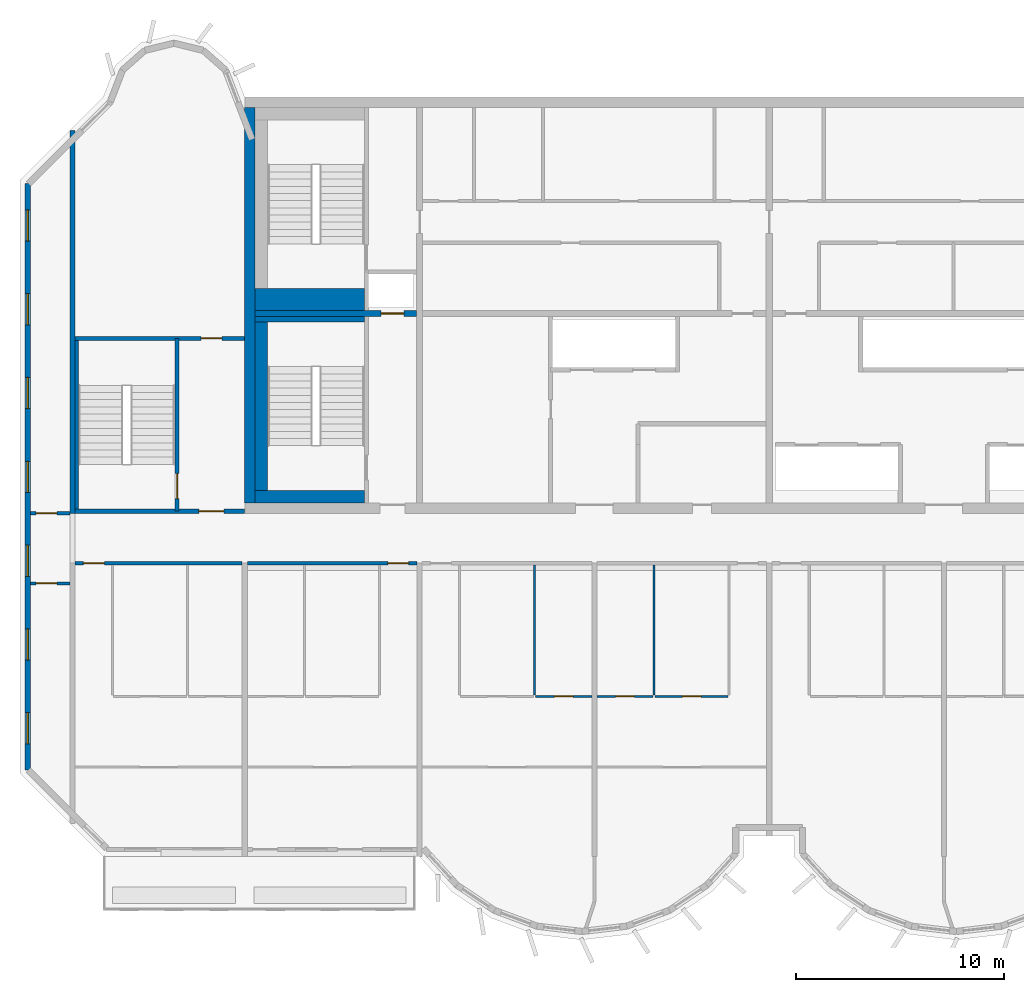
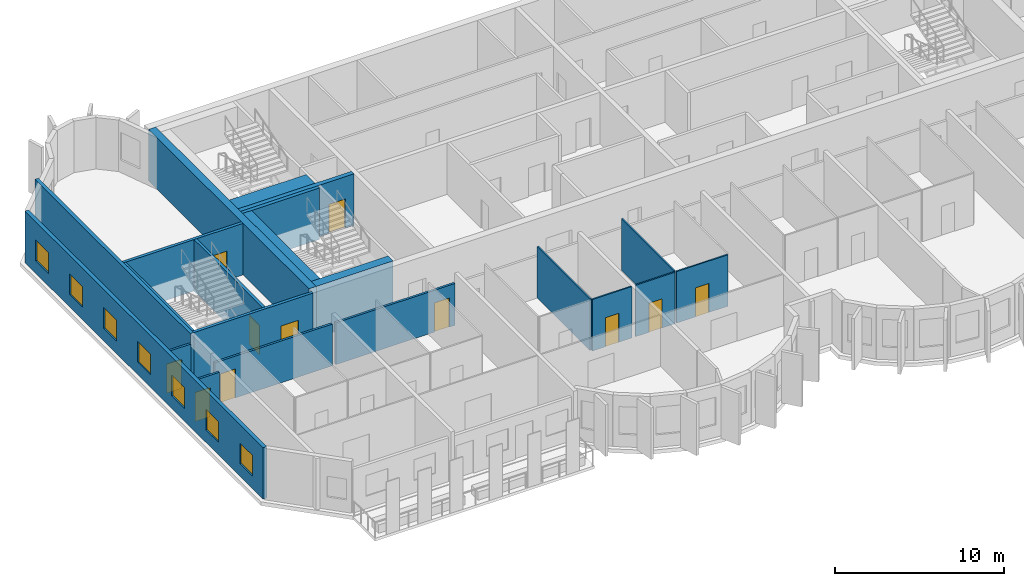
# One storey, part 3 of 12: 21 walls, 11 doors, 7 windows, 18 openings.
"""IFC4 building model written with IfcOpenShell, lengths in metres."""

from ifc_helpers import new_model, si_unit, direction, frame, frame_2d, origin, place, context, subcontext, project, spatial, rectangle, extrude, source, transform, mapped, material, layer, layer_set, type_object, element, fill, save


model = new_model("IFC4")

# Units and contexts
model_context = context("Model", 3, precision=1e-05, world=origin(), true_north=direction((0.0, 1.0)))
body_context = subcontext(model_context, "Body", "Model", "MODEL_VIEW")
ifc_project = project(units=[si_unit("LENGTHUNIT", "METRE"), si_unit("AREAUNIT", "SQUARE_METRE"), si_unit("VOLUMEUNIT", "CUBIC_METRE"), si_unit("PLANEANGLEUNIT", "RADIAN"), si_unit("MASSUNIT", "GRAM", prefix="KILO")], contexts=[model_context])

# Site, building, storey
site_placement = place(None, origin())
site = spatial("IfcSite", under=ifc_project, at=site_placement, CompositionType="ELEMENT")
building_placement = place(site_placement, origin())
building = spatial("IfcBuilding", under=site, at=building_placement, Name="Vanashikhar Sky Hotel", CompositionType="ELEMENT")
storey_placement = place(building_placement, frame((0.0, 0.0, 281.699951171875)))
storey = spatial("IfcBuildingStorey", under=building, at=storey_placement, Name="L67", CompositionType="ELEMENT", Elevation=281.699951171875)

# Wall
ifc_material_1 = material(Name="Concrete M50", Category="concrete")
ifc_layer_1 = layer(ifc_material_1, 0.5)
ifc_layer_set_1 = layer_set([ifc_layer_1], Name="RC core shell wall 500 Concrete M50")
wall_type_1 = type_object("IfcWallType", Name="RC core shell wall 500 Concrete M50", PredefinedType="SHEAR", material=ifc_layer_set_1)
shared_shape_1 = source(origin(), body_context, "Body", "SweptSolid", [
    extrude(rectangle(XDim=19.0, YDim=0.5, at=frame_2d((9.5, 0.0))), origin(), (0.0, 0.0, 1.0), 3.719970703125),
])
wall_1_placement = place(storey_placement, frame((25.449951171875, 22.5, 0.0), z_axis=(0.0, 0.0, 1.0), x_axis=(0.0, 1.0, 0.0)))
element("IfcWall", 1, at=wall_1_placement, inside=storey, type_object=wall_type_1, Name="KW-L67-KW", PredefinedType="SHEAR", context=body_context, shape_type="MappedRepresentation", body=[
    mapped(shared_shape_1, transform((0.0, 0.0, 0.0), scale=1.0)),
])

# Wall, opening, door
ifc_layer_2 = layer(ifc_material_1, 0.300048828125)
ifc_layer_set_2 = layer_set([ifc_layer_2], Name="RC core inner wall 300 Concrete M50")
wall_type_2 = type_object("IfcWallType", Name="RC core inner wall 300 Concrete M50", PredefinedType="SHEAR", material=ifc_layer_set_2)
shared_shape_2 = source(origin(), body_context, "Body", "SweptSolid", [
    extrude(rectangle(XDim=7.75, YDim=0.300048828125, at=frame_2d((3.875, 0.0))), origin(), (0.0, 0.0, 1.0), 3.719970703125),
])
wall_2_placement = place(storey_placement, frame((25.699951171875, 31.60009765625, 0.0), z_axis=(0.0, 0.0, 1.0), x_axis=(1.0, 0.0, 0.0)))
wall_2 = element("IfcWall", 2, at=wall_2_placement, inside=storey, type_object=wall_type_2, Name="KW-L67-KY1", PredefinedType="SHEAR", context=body_context, shape_type="MappedRepresentation", body=[
    mapped(shared_shape_2, transform((0.0, 0.0, 0.0), scale=1.0)),
])
shared_shape_3 = source(origin(), body_context, "Body", "SweptSolid", [
    extrude(rectangle(XDim=1.10009765625, YDim=2.10009765625, at=frame_2d((0.550048828125, 1.050048828125))), frame((0.0, 0.16015625, 0.0), z_axis=(0.0, -1.0, 0.0), x_axis=(1.0, 0.0, 0.0)), (0.0, 0.0, 1.0), 0.320068359375),
])
opening_1_placement = place(wall_2_placement, frame((6.050048828125, 0.0, 0.0)))
opening_1 = element("IfcOpeningElement", 3, at=opening_1_placement, cuts=wall_2, Name="Opening LD", PredefinedType="OPENING", context=body_context, shape_type="MappedRepresentation", body=[
    mapped(shared_shape_3, transform((0.0, 0.0, 0.0), scale=1.0)),
])
ifc_material_2 = material(Name="Stainless steel", Category="steel")
door_type_1 = type_object("IfcDoorType", Name="Lift landing door 1100", OperationType="NOTDEFINED", PredefinedType="DOOR", material=ifc_material_2)
shared_shape_4 = source(origin(), body_context, "Body", "SweptSolid", [
    extrude(rectangle(XDim=1.10009765625, YDim=2.10009765625, at=frame_2d((0.550048828125, 1.050048828125))), frame((0.0, 0.02490234375, 0.0), z_axis=(0.0, -1.0, 0.0), x_axis=(1.0, 0.0, 0.0)), (0.0, 0.0, 1.0), 0.050048828125),
])
door_1_placement = place(opening_1_placement, origin())
door_1 = element("IfcDoor", 4, at=door_1_placement, inside=storey, type_object=door_type_1, Name="Lift landing door 1100", OperationType="SLIDING_TO_RIGHT", OverallHeight=2.10009765625, OverallWidth=1.10009765625, PredefinedType="DOOR", context=body_context, shape_type="MappedRepresentation", body=[
    mapped(shared_shape_4, transform((0.0, 0.0, 0.0), scale=1.0)),
])
fill(opening_1, door_1)

# Wall
ifc_layer_3 = layer(ifc_material_1, 0.25)
ifc_layer_set_3 = layer_set([ifc_layer_3], Name="RC shear wall 250 Concrete M50")
wall_type_3 = type_object("IfcWallType", Name="RC shear wall 250 Concrete M50", PredefinedType="SHEAR", material=ifc_layer_set_3)
shared_shape_5 = source(origin(), body_context, "Body", "SweptSolid", [
    extrude(rectangle(XDim=18.39990234375, YDim=0.25, at=frame_2d((9.199951171875, 0.0))), origin(), (0.0, 0.0, 1.0), 3.719970703125),
])
wall_3_placement = place(storey_placement, frame((16.925048828125, 22.0, 0.0), z_axis=(0.0, 0.0, 1.0), x_axis=(0.0, 1.0, 0.0)))
element("IfcWall", 5, at=wall_3_placement, inside=storey, type_object=wall_type_3, Name="CW-L67-XW03-2", PredefinedType="SHEAR", context=body_context, shape_type="MappedRepresentation", body=[
    mapped(shared_shape_5, transform((0.0, 0.0, 0.0), scale=1.0)),
])

# Wall, openings, windows
ifc_layer_4 = layer(ifc_material_1, 0.25)
ifc_layer_set_4 = layer_set([ifc_layer_4], Name="Rear and end board-marked wall 250")
wall_type_4 = type_object("IfcWallType", Name="Rear and end board-marked wall 250", PredefinedType="SOLIDWALL", material=ifc_layer_set_4)
shared_shape_6 = source(origin(), body_context, "Body", "SweptSolid", [
    extrude(rectangle(XDim=28.189453125, YDim=0.25, at=frame_2d((14.0947265625, 0.0))), origin(), (0.0, 0.0, 1.0), 3.719970703125),
])
wall_4_placement = place(storey_placement, frame((14.77490234375, 37.8447265625, 0.0), z_axis=(0.0, 0.0, 1.0), x_axis=(0.0, -1.0, 0.0)))
wall_4 = element("IfcWall", 6, at=wall_4_placement, inside=storey, type_object=wall_type_4, Name="End board-marked wall", PredefinedType="SOLIDWALL", context=body_context, shape_type="MappedRepresentation", body=[
    mapped(shared_shape_6, transform((0.0, 0.0, 0.0), scale=1.0)),
])
shared_shape_7 = source(origin(), body_context, "Body", "SweptSolid", [
    extrude(rectangle(XDim=1.5, YDim=1.5, at=frame_2d((0.75, 0.75))), frame((0.0, 0.135009765625, 0.0), z_axis=(0.0, -1.0, 0.0), x_axis=(1.0, 0.0, 0.0)), (0.0, 0.0, 1.0), 0.27001953125),
])
opening_2_placement = place(wall_4_placement, frame((1.263427734375, 0.0, 0.89990234375)))
opening_2 = element("IfcOpeningElement", 7, at=opening_2_placement, cuts=wall_4, Name="Opening WN-1", PredefinedType="OPENING", context=body_context, shape_type="MappedRepresentation", body=[
    mapped(shared_shape_7, transform((0.0, 0.0, 0.0), scale=1.0)),
])
opening_3_placement = place(wall_4_placement, frame((5.29052734375, 0.0, 0.89990234375)))
opening_3 = element("IfcOpeningElement", 8, at=opening_3_placement, cuts=wall_4, Name="Opening WN-1", PredefinedType="OPENING", context=body_context, shape_type="MappedRepresentation", body=[
    mapped(shared_shape_7, transform((0.0, 0.0, 0.0), scale=1.0)),
])
opening_4_placement = place(wall_4_placement, frame((9.317626953125, 0.0, 0.89990234375)))
opening_4 = element("IfcOpeningElement", 9, at=opening_4_placement, cuts=wall_4, Name="Opening WN-1", PredefinedType="OPENING", context=body_context, shape_type="MappedRepresentation", body=[
    mapped(shared_shape_7, transform((0.0, 0.0, 0.0), scale=1.0)),
])
opening_5_placement = place(wall_4_placement, frame((13.3447265625, 0.0, 0.89990234375)))
opening_5 = element("IfcOpeningElement", 10, at=opening_5_placement, cuts=wall_4, Name="Opening WN-1", PredefinedType="OPENING", context=body_context, shape_type="MappedRepresentation", body=[
    mapped(shared_shape_7, transform((0.0, 0.0, 0.0), scale=1.0)),
])
opening_6_placement = place(wall_4_placement, frame((17.371826171875, 0.0, 0.89990234375)))
opening_6 = element("IfcOpeningElement", 11, at=opening_6_placement, cuts=wall_4, Name="Opening WN-1", PredefinedType="OPENING", context=body_context, shape_type="MappedRepresentation", body=[
    mapped(shared_shape_7, transform((0.0, 0.0, 0.0), scale=1.0)),
])
opening_7_placement = place(wall_4_placement, frame((21.398681640625, 0.0, 0.89990234375)))
opening_7 = element("IfcOpeningElement", 12, at=opening_7_placement, cuts=wall_4, Name="Opening WN-1", PredefinedType="OPENING", context=body_context, shape_type="MappedRepresentation", body=[
    mapped(shared_shape_7, transform((0.0, 0.0, 0.0), scale=1.0)),
])
opening_8_placement = place(wall_4_placement, frame((25.42578125, 0.0, 0.89990234375)))
opening_8 = element("IfcOpeningElement", 13, at=opening_8_placement, cuts=wall_4, Name="Opening WN-1", PredefinedType="OPENING", context=body_context, shape_type="MappedRepresentation", body=[
    mapped(shared_shape_7, transform((0.0, 0.0, 0.0), scale=1.0)),
])
ifc_material_3 = material(Name="Glass", Category="glass")
window_type = type_object("IfcWindowType", Name="Window 1500 x 1500", PartitioningType="SINGLE_PANEL", PredefinedType="WINDOW", material=ifc_material_3)
shared_shape_8 = source(origin(), body_context, "Body", "SweptSolid", [
    extrude(rectangle(XDim=1.5, YDim=1.5, at=frame_2d((0.75, 0.75))), frame((0.0, 0.030029296875, 0.0), z_axis=(0.0, -1.0, 0.0), x_axis=(1.0, 0.0, 0.0)), (0.0, 0.0, 1.0), 0.06005859375),
])
window_1_placement = place(opening_2_placement, origin())
window_1 = element("IfcWindow", 14, at=window_1_placement, inside=storey, type_object=window_type, Name="Window WN-1", OverallHeight=1.5, OverallWidth=1.5, PartitioningType="SINGLE_PANEL", PredefinedType="WINDOW", context=body_context, shape_type="MappedRepresentation", body=[
    mapped(shared_shape_8, transform((0.0, 0.0, 0.0), scale=1.0)),
])
fill(opening_2, window_1)
window_2_placement = place(opening_3_placement, origin())
window_2 = element("IfcWindow", 15, at=window_2_placement, inside=storey, type_object=window_type, Name="Window WN-1", OverallHeight=1.5, OverallWidth=1.5, PartitioningType="SINGLE_PANEL", PredefinedType="WINDOW", context=body_context, shape_type="MappedRepresentation", body=[
    mapped(shared_shape_8, transform((0.0, 0.0, 0.0), scale=1.0)),
])
fill(opening_3, window_2)
window_3_placement = place(opening_4_placement, origin())
window_3 = element("IfcWindow", 16, at=window_3_placement, inside=storey, type_object=window_type, Name="Window WN-1", OverallHeight=1.5, OverallWidth=1.5, PartitioningType="SINGLE_PANEL", PredefinedType="WINDOW", context=body_context, shape_type="MappedRepresentation", body=[
    mapped(shared_shape_8, transform((0.0, 0.0, 0.0), scale=1.0)),
])
fill(opening_4, window_3)
window_4_placement = place(opening_5_placement, origin())
window_4 = element("IfcWindow", 17, at=window_4_placement, inside=storey, type_object=window_type, Name="Window WN-1", OverallHeight=1.5, OverallWidth=1.5, PartitioningType="SINGLE_PANEL", PredefinedType="WINDOW", context=body_context, shape_type="MappedRepresentation", body=[
    mapped(shared_shape_8, transform((0.0, 0.0, 0.0), scale=1.0)),
])
fill(opening_5, window_4)
window_5_placement = place(opening_6_placement, origin())
window_5 = element("IfcWindow", 18, at=window_5_placement, inside=storey, type_object=window_type, Name="Window WN-1", OverallHeight=1.5, OverallWidth=1.5, PartitioningType="SINGLE_PANEL", PredefinedType="WINDOW", context=body_context, shape_type="MappedRepresentation", body=[
    mapped(shared_shape_8, transform((0.0, 0.0, 0.0), scale=1.0)),
])
fill(opening_6, window_5)
window_6_placement = place(opening_7_placement, origin())
window_6 = element("IfcWindow", 19, at=window_6_placement, inside=storey, type_object=window_type, Name="Window WN-1", OverallHeight=1.5, OverallWidth=1.5, PartitioningType="SINGLE_PANEL", PredefinedType="WINDOW", context=body_context, shape_type="MappedRepresentation", body=[
    mapped(shared_shape_8, transform((0.0, 0.0, 0.0), scale=1.0)),
])
fill(opening_7, window_6)
window_7_placement = place(opening_8_placement, origin())
window_7 = element("IfcWindow", 20, at=window_7_placement, inside=storey, type_object=window_type, Name="Window WN-1", OverallHeight=1.5, OverallWidth=1.5, PartitioningType="SINGLE_PANEL", PredefinedType="WINDOW", context=body_context, shape_type="MappedRepresentation", body=[
    mapped(shared_shape_8, transform((0.0, 0.0, 0.0), scale=1.0)),
])
fill(opening_8, window_7)

# Wall, opening, door
ifc_layer_5 = layer(ifc_material_1, 0.199951171875)
ifc_layer_set_5 = layer_set([ifc_layer_5], Name="Stair wall 200")
wall_type_5 = type_object("IfcWallType", Name="Stair wall 200", PredefinedType="SOLIDWALL", material=ifc_layer_set_5)
shared_shape_9 = source(origin(), body_context, "Body", "SweptSolid", [
    extrude(rectangle(XDim=8.2998046875, YDim=0.199951171875, at=frame_2d((4.14990234375, 0.0))), origin(), (0.0, 0.0, 1.0), 3.719970703125),
])
wall_5_placement = place(storey_placement, frame((21.949951171875, 22.10009765625, 0.0), z_axis=(0.0, 0.0, 1.0), x_axis=(0.0, 1.0, 0.0)))
wall_5 = element("IfcWall", 21, at=wall_5_placement, inside=storey, type_object=wall_type_5, Name="Stair wall 200", PredefinedType="SOLIDWALL", context=body_context, shape_type="MappedRepresentation", body=[
    mapped(shared_shape_9, transform((0.0, 0.0, 0.0), scale=1.0)),
])
shared_shape_10 = source(origin(), body_context, "Body", "SweptSolid", [
    extrude(rectangle(XDim=1.199951171875, YDim=2.10009765625, at=frame_2d((0.60009765625, 1.050048828125))), frame((0.0, 0.10986328125, 0.0), z_axis=(0.0, -1.0, 0.0), x_axis=(1.0, 0.0, 0.0)), (0.0, 0.0, 1.0), 0.219970703125),
])
opening_9_placement = place(wall_5_placement, frame((0.60009765625, 0.0, 0.0)))
opening_9 = element("IfcOpeningElement", 22, at=opening_9_placement, cuts=wall_5, Name="Opening DC-1", PredefinedType="OPENING", context=body_context, shape_type="MappedRepresentation", body=[
    mapped(shared_shape_10, transform((0.0, 0.0, 0.0), scale=1.0)),
])
ifc_material_4 = material(Name="Steel", Category="steel")
door_type_2 = type_object("IfcDoorType", Name="Stair door 1200 FD120", OperationType="NOTDEFINED", PredefinedType="DOOR", material=ifc_material_4)
shared_shape_11 = source(origin(), body_context, "Body", "SweptSolid", [
    extrude(rectangle(XDim=1.199951171875, YDim=2.10009765625, at=frame_2d((0.60009765625, 1.050048828125))), frame((0.0, 0.02490234375, 0.0), z_axis=(0.0, -1.0, 0.0), x_axis=(1.0, 0.0, 0.0)), (0.0, 0.0, 1.0), 0.050048828125),
])
door_2_placement = place(opening_9_placement, origin())
door_2 = element("IfcDoor", 23, at=door_2_placement, inside=storey, type_object=door_type_2, Name="Stair door 1200 FD120", OperationType="SINGLE_SWING_RIGHT", OverallHeight=2.10009765625, OverallWidth=1.199951171875, PredefinedType="DOOR", context=body_context, shape_type="MappedRepresentation", body=[
    mapped(shared_shape_11, transform((0.0, 0.0, 0.0), scale=1.0)),
])
fill(opening_9, door_2)

shared_shape_12 = source(origin(), body_context, "Body", "SweptSolid", [
    extrude(rectangle(XDim=8.14990234375, YDim=0.199951171875, at=frame_2d((4.074951171875, 0.0))), origin(), (0.0, 0.0, 1.0), 3.719970703125),
])
wall_6_placement = place(storey_placement, frame((17.050048828125, 22.10009765625, 0.0), z_axis=(0.0, 0.0, 1.0), x_axis=(1.0, 0.0, 0.0)))
wall_6 = element("IfcWall", 24, at=wall_6_placement, inside=storey, type_object=wall_type_5, Name="Stair wall 200", PredefinedType="SOLIDWALL", context=body_context, shape_type="MappedRepresentation", body=[
    mapped(shared_shape_12, transform((0.0, 0.0, 0.0), scale=1.0)),
])
opening_10_placement = place(wall_6_placement, frame((5.949951171875, 0.0, 0.0)))
opening_10 = element("IfcOpeningElement", 25, at=opening_10_placement, cuts=wall_6, Name="Opening DC-2", PredefinedType="OPENING", context=body_context, shape_type="MappedRepresentation", body=[
    mapped(shared_shape_10, transform((0.0, 0.0, 0.0), scale=1.0)),
])
door_type_3 = type_object("IfcDoorType", Name="Firefighting lobby door 1200 FD120", OperationType="NOTDEFINED", PredefinedType="DOOR", material=ifc_material_4)
door_3_placement = place(opening_10_placement, origin())
door_3 = element("IfcDoor", 26, at=door_3_placement, inside=storey, type_object=door_type_3, Name="Firefighting lobby door 1200 FD120", OperationType="SINGLE_SWING_LEFT", OverallHeight=2.10009765625, OverallWidth=1.199951171875, PredefinedType="DOOR", context=body_context, shape_type="MappedRepresentation", body=[
    mapped(shared_shape_11, transform((0.0, 0.0, 0.0), scale=1.0)),
])
fill(opening_10, door_3)

wall_7_placement = place(storey_placement, frame((17.050048828125, 30.39990234375, 0.0), z_axis=(0.0, 0.0, 1.0), x_axis=(1.0, 0.0, 0.0)))
wall_7 = element("IfcWall", 27, at=wall_7_placement, inside=storey, type_object=wall_type_5, Name="Stair wall 200", PredefinedType="SOLIDWALL", context=body_context, shape_type="MappedRepresentation", body=[
    mapped(shared_shape_12, transform((0.0, 0.0, 0.0), scale=1.0)),
])
shared_shape_13 = source(origin(), body_context, "Body", "SweptSolid", [
    extrude(rectangle(XDim=1.0, YDim=2.10009765625, at=frame_2d((0.5, 1.050048828125))), frame((0.0, 0.10986328125, 0.0), z_axis=(0.0, -1.0, 0.0), x_axis=(1.0, 0.0, 0.0)), (0.0, 0.0, 1.0), 0.219970703125),
])
opening_11_placement = place(wall_7_placement, frame((6.050048828125, 0.0, 0.0)))
opening_11 = element("IfcOpeningElement", 28, at=opening_11_placement, cuts=wall_7, Name="Opening DC-6", PredefinedType="OPENING", context=body_context, shape_type="MappedRepresentation", body=[
    mapped(shared_shape_13, transform((0.0, 0.0, 0.0), scale=1.0)),
])
door_type_4 = type_object("IfcDoorType", Name="Pocket door 1000 FD60", OperationType="NOTDEFINED", PredefinedType="DOOR", material=ifc_material_4)
shared_shape_14 = source(origin(), body_context, "Body", "SweptSolid", [
    extrude(rectangle(XDim=1.0, YDim=2.10009765625, at=frame_2d((0.5, 1.050048828125))), frame((0.0, 0.02490234375, 0.0), z_axis=(0.0, -1.0, 0.0), x_axis=(1.0, 0.0, 0.0)), (0.0, 0.0, 1.0), 0.050048828125),
])
door_4_placement = place(opening_11_placement, origin())
door_4 = element("IfcDoor", 29, at=door_4_placement, inside=storey, type_object=door_type_4, Name="Pocket door 1000 FD60", OperationType="SINGLE_SWING_LEFT", OverallHeight=2.10009765625, OverallWidth=1.0, PredefinedType="DOOR", context=body_context, shape_type="MappedRepresentation", body=[
    mapped(shared_shape_14, transform((0.0, 0.0, 0.0), scale=1.0)),
])
fill(opening_11, door_4)

# Walls
ifc_layer_6 = layer(ifc_material_1, 0.60009765625)
ifc_layer_set_6 = layer_set([ifc_layer_6], Name="Stair infill wall 600")
wall_type_6 = type_object("IfcWallType", Name="Stair infill wall 600", PredefinedType="SOLIDWALL", material=ifc_layer_set_6)
shared_shape_15 = source(origin(), body_context, "Body", "SweptSolid", [
    extrude(rectangle(XDim=5.25, YDim=0.60009765625, at=frame_2d((2.625, 0.0))), origin(), (0.0, 0.0, 1.0), 3.719970703125),
])
wall_8_placement = place(storey_placement, frame((25.699951171875, 22.800048828125, 0.0), z_axis=(0.0, 0.0, 1.0), x_axis=(1.0, 0.0, 0.0)))
element("IfcWall", 30, at=wall_8_placement, inside=storey, type_object=wall_type_6, Name="Stair infill wall 600", PredefinedType="SOLIDWALL", context=body_context, shape_type="MappedRepresentation", body=[
    mapped(shared_shape_15, transform((0.0, 0.0, 0.0), scale=1.0)),
])
ifc_layer_7 = layer(ifc_material_1, 0.25)
ifc_layer_set_7 = layer_set([ifc_layer_7], Name="Stair infill wall 250")
wall_type_7 = type_object("IfcWallType", Name="Stair infill wall 250", PredefinedType="SOLIDWALL", material=ifc_layer_set_7)
shared_shape_16 = source(origin(), body_context, "Body", "SweptSolid", [
    extrude(rectangle(XDim=5.25, YDim=0.25, at=frame_2d((2.625, 0.0))), origin(), (0.0, 0.0, 1.0), 3.719970703125),
])
wall_9_placement = place(storey_placement, frame((25.699951171875, 31.324951171875, 0.0), z_axis=(0.0, 0.0, 1.0), x_axis=(1.0, 0.0, 0.0)))
element("IfcWall", 31, at=wall_9_placement, inside=storey, type_object=wall_type_7, Name="Stair infill wall 250", PredefinedType="SOLIDWALL", context=body_context, shape_type="MappedRepresentation", body=[
    mapped(shared_shape_16, transform((0.0, 0.0, 0.0), scale=1.0)),
])
shared_shape_17 = source(origin(), body_context, "Body", "SweptSolid", [
    extrude(rectangle(XDim=8.099853515625, YDim=0.60009765625, at=frame_2d((4.0498046875, 0.0))), origin(), (0.0, 0.0, 1.0), 3.719970703125),
])
wall_10_placement = place(storey_placement, frame((26.0, 23.10009765625, 0.0), z_axis=(0.0, 0.0, 1.0), x_axis=(0.0, 1.0, 0.0)))
element("IfcWall", 32, at=wall_10_placement, inside=storey, type_object=wall_type_6, Name="Stair infill wall 600", PredefinedType="SOLIDWALL", context=body_context, shape_type="MappedRepresentation", body=[
    mapped(shared_shape_17, transform((0.0, 0.0, 0.0), scale=1.0)),
])
ifc_layer_8 = layer(ifc_material_1, 0.14990234375)
ifc_layer_set_8 = layer_set([ifc_layer_8], Name="Stair infill wall 150")
wall_type_8 = type_object("IfcWallType", Name="Stair infill wall 150", PredefinedType="SOLIDWALL", material=ifc_layer_set_8)
shared_shape_18 = source(origin(), body_context, "Body", "SweptSolid", [
    extrude(rectangle(XDim=8.10009765625, YDim=0.14990234375, at=frame_2d((4.050048828125, 0.0))), origin(), (0.0, 0.0, 1.0), 3.719970703125),
])
wall_11_placement = place(storey_placement, frame((17.125, 22.199951171875, 0.0), z_axis=(0.0, 0.0, 1.0), x_axis=(0.0, 1.0, 0.0)))
element("IfcWall", 33, at=wall_11_placement, inside=storey, type_object=wall_type_8, Name="Stair infill wall 150", PredefinedType="SOLIDWALL", context=body_context, shape_type="MappedRepresentation", body=[
    mapped(shared_shape_18, transform((0.0, 0.0, 0.0), scale=1.0)),
])
ifc_layer_9 = layer(ifc_material_1, 1.050048828125)
ifc_layer_set_9 = layer_set([ifc_layer_9], Name="Stair infill wall 1050")
wall_type_9 = type_object("IfcWallType", Name="Stair infill wall 1050", PredefinedType="SOLIDWALL", material=ifc_layer_set_9)
shared_shape_19 = source(origin(), body_context, "Body", "SweptSolid", [
    extrude(rectangle(XDim=5.25, YDim=1.050048828125, at=frame_2d((2.625, 0.0))), origin(), (0.0, 0.0, 1.0), 3.719970703125),
])
wall_12_placement = place(storey_placement, frame((25.699951171875, 32.27490234375, 0.0), z_axis=(0.0, 0.0, 1.0), x_axis=(1.0, 0.0, 0.0)))
element("IfcWall", 34, at=wall_12_placement, inside=storey, type_object=wall_type_9, Name="Stair infill wall 1050", PredefinedType="SOLIDWALL", context=body_context, shape_type="MappedRepresentation", body=[
    mapped(shared_shape_19, transform((0.0, 0.0, 0.0), scale=1.0)),
])
ifc_material_5 = material(Name="Gypsum plasterboard partition")
ifc_layer_10 = layer(ifc_material_5, 0.10009765625)
ifc_layer_set_10 = layer_set([ifc_layer_10], Name="Wet room partition 100")
wall_type_10 = type_object("IfcWallType", Name="Wet room partition 100", PredefinedType="PARTITIONING", material=ifc_layer_set_10)
shared_shape_20 = source(origin(), body_context, "Body", "SweptSolid", [
    extrude(rectangle(XDim=6.25, YDim=0.10009765625, at=frame_2d((3.125, 0.0))), origin(), (0.0, 0.0, 1.0), 3.719970703125),
])
for number, where, z_axis, x_axis, name in (
    (35, (39.125, 13.27490234375, 0.0), (0.0, 0.0, 1.0), (0.0, 1.0, 0.0), "W-L67-PW014"),
    (36, (44.875, 13.27490234375, 0.0), (0.0, 0.0, 1.0), (0.0, 1.0, 0.0), "W-L67-PW020"),
):
    element("IfcWall", number, at=place(storey_placement, frame(where, z_axis=z_axis, x_axis=x_axis)), inside=storey, type_object=wall_type_10, Name=name, PredefinedType="PARTITIONING", context=body_context, shape_type="MappedRepresentation", body=[
        mapped(shared_shape_20, transform((0.0, 0.0, 0.0), scale=1.0)),
    ])

# Wall, opening, door
shared_shape_21 = source(origin(), body_context, "Body", "SweptSolid", [
    extrude(rectangle(XDim=3.5, YDim=0.10009765625, at=frame_2d((1.75, 0.0))), origin(), (0.0, 0.0, 1.0), 3.719970703125),
])
wall_13_placement = place(storey_placement, frame((44.925048828125, 13.199951171875, 0.0), z_axis=(0.0, 0.0, 1.0), x_axis=(1.0, 0.0, 0.0)))
wall_13 = element("IfcWall", 37, at=wall_13_placement, inside=storey, type_object=wall_type_10, Name="W-L67-PW021", PredefinedType="PARTITIONING", context=body_context, shape_type="MappedRepresentation", body=[
    mapped(shared_shape_21, transform((0.0, 0.0, 0.0), scale=1.0)),
])
shared_shape_22 = source(origin(), body_context, "Body", "SweptSolid", [
    extrude(rectangle(XDim=0.89990234375, YDim=2.10009765625, at=frame_2d((0.449951171875, 1.050048828125))), frame((0.0, 0.06005859375, 0.0), z_axis=(0.0, -1.0, 0.0), x_axis=(1.0, 0.0, 0.0)), (0.0, 0.0, 1.0), 0.1201171875),
])
opening_12_placement = place(wall_13_placement, frame((1.300048828125, 0.0, 0.0)))
opening_12 = element("IfcOpeningElement", 38, at=opening_12_placement, cuts=wall_13, Name="Opening D-02", PredefinedType="OPENING", context=body_context, shape_type="MappedRepresentation", body=[
    mapped(shared_shape_22, transform((0.0, 0.0, 0.0), scale=1.0)),
])
ifc_material_6 = material(Name="Timber door", Category="wood")
door_type_5 = type_object("IfcDoorType", Name="Internal door 900", OperationType="NOTDEFINED", PredefinedType="DOOR", material=ifc_material_6)
shared_shape_23 = source(origin(), body_context, "Body", "SweptSolid", [
    extrude(rectangle(XDim=0.89990234375, YDim=2.10009765625, at=frame_2d((0.449951171875, 1.050048828125))), frame((0.0, 0.02490234375, 0.0), z_axis=(0.0, -1.0, 0.0), x_axis=(1.0, 0.0, 0.0)), (0.0, 0.0, 1.0), 0.050048828125),
])
door_5_placement = place(opening_12_placement, origin())
door_5 = element("IfcDoor", 39, at=door_5_placement, inside=storey, type_object=door_type_5, Name="D-L67-013", OperationType="SINGLE_SWING_RIGHT", OverallHeight=2.10009765625, OverallWidth=0.89990234375, PredefinedType="DOOR", context=body_context, shape_type="MappedRepresentation", body=[
    mapped(shared_shape_23, transform((0.0, 0.0, 0.0), scale=1.0)),
])
fill(opening_12, door_5)

ifc_layer_11 = layer(ifc_material_5, 0.14990234375)
ifc_layer_set_11 = layer_set([ifc_layer_11], Name="Corridor and demising partition 150")
wall_type_11 = type_object("IfcWallType", Name="Corridor and demising partition 150", PredefinedType="PARTITIONING", material=ifc_layer_set_11)
shared_shape_24 = source(origin(), body_context, "Body", "SweptSolid", [
    extrude(rectangle(XDim=8.02490234375, YDim=0.14990234375, at=frame_2d((4.012451171875, 0.0))), origin(), (0.0, 0.0, 1.0), 3.02001953125),
])
wall_14_placement = place(storey_placement, frame((17.050048828125, 19.60009765625, 0.0), z_axis=(0.0, 0.0, 1.0), x_axis=(1.0, 0.0, 0.0)))
wall_14 = element("IfcWall", 40, at=wall_14_placement, inside=storey, type_object=wall_type_11, Name="W-L67-PW006", PredefinedType="PARTITIONING", context=body_context, shape_type="MappedRepresentation", body=[
    mapped(shared_shape_24, transform((0.0, 0.0, 0.0), scale=1.0)),
])
shared_shape_25 = source(origin(), body_context, "Body", "SweptSolid", [
    extrude(rectangle(XDim=1.0, YDim=2.10009765625, at=frame_2d((0.5, 1.050048828125))), frame((0.0, 0.0849609375, 0.0), z_axis=(0.0, -1.0, 0.0), x_axis=(1.0, 0.0, 0.0)), (0.0, 0.0, 1.0), 0.169921875),
])
opening_13_placement = place(wall_14_placement, frame((0.39990234375, 0.0, 0.0)))
opening_13 = element("IfcOpeningElement", 41, at=opening_13_placement, cuts=wall_14, Name="Opening D-01", PredefinedType="OPENING", context=body_context, shape_type="MappedRepresentation", body=[
    mapped(shared_shape_25, transform((0.0, 0.0, 0.0), scale=1.0)),
])
ifc_material_7 = material(Name="Timber fire door", Category="wood")
door_type_6 = type_object("IfcDoorType", Name="Guest entry door 1000 FD30S", OperationType="NOTDEFINED", PredefinedType="DOOR", material=ifc_material_7)
door_6_placement = place(opening_13_placement, origin())
door_6 = element("IfcDoor", 42, at=door_6_placement, inside=storey, type_object=door_type_6, Name="D-L67-004", OperationType="SINGLE_SWING_LEFT", OverallHeight=2.10009765625, OverallWidth=1.0, PredefinedType="DOOR", context=body_context, shape_type="MappedRepresentation", body=[
    mapped(shared_shape_14, transform((0.0, 0.0, 0.0), scale=1.0)),
])
fill(opening_13, door_6)

shared_shape_26 = source(origin(), body_context, "Body", "SweptSolid", [
    extrude(rectangle(XDim=2.699951171875, YDim=0.10009765625, at=frame_2d((1.35009765625, 0.0))), origin(), (0.0, 0.0, 1.0), 3.719970703125),
])
wall_15_placement = place(storey_placement, frame((39.175048828125, 13.199951171875, 0.0), z_axis=(0.0, 0.0, 1.0), x_axis=(1.0, 0.0, 0.0)))
wall_15 = element("IfcWall", 43, at=wall_15_placement, inside=storey, type_object=wall_type_10, Name="W-L67-PW016", PredefinedType="PARTITIONING", context=body_context, shape_type="MappedRepresentation", body=[
    mapped(shared_shape_26, transform((0.0, 0.0, 0.0), scale=1.0)),
])
opening_14_placement = place(wall_15_placement, frame((0.89990234375, 0.0, 0.0)))
opening_14 = element("IfcOpeningElement", 44, at=opening_14_placement, cuts=wall_15, Name="Opening D-02", PredefinedType="OPENING", context=body_context, shape_type="MappedRepresentation", body=[
    mapped(shared_shape_22, transform((0.0, 0.0, 0.0), scale=1.0)),
])
door_7_placement = place(opening_14_placement, origin())
door_7 = element("IfcDoor", 45, at=door_7_placement, inside=storey, type_object=door_type_5, Name="D-L67-010", OperationType="SINGLE_SWING_LEFT", OverallHeight=2.10009765625, OverallWidth=0.89990234375, PredefinedType="DOOR", context=body_context, shape_type="MappedRepresentation", body=[
    mapped(shared_shape_23, transform((0.0, 0.0, 0.0), scale=1.0)),
])
fill(opening_14, door_7)

wall_16_placement = place(storey_placement, frame((42.125, 13.199951171875, 0.0), z_axis=(0.0, 0.0, 1.0), x_axis=(1.0, 0.0, 0.0)))
wall_16 = element("IfcWall", 46, at=wall_16_placement, inside=storey, type_object=wall_type_10, Name="W-L67-PW022", PredefinedType="PARTITIONING", context=body_context, shape_type="MappedRepresentation", body=[
    mapped(shared_shape_26, transform((0.0, 0.0, 0.0), scale=1.0)),
])
opening_15_placement = place(wall_16_placement, frame((0.89990234375, 0.0, 0.0)))
opening_15 = element("IfcOpeningElement", 47, at=opening_15_placement, cuts=wall_16, Name="Opening D-02", PredefinedType="OPENING", context=body_context, shape_type="MappedRepresentation", body=[
    mapped(shared_shape_22, transform((0.0, 0.0, 0.0), scale=1.0)),
])
door_8_placement = place(opening_15_placement, origin())
door_8 = element("IfcDoor", 48, at=door_8_placement, inside=storey, type_object=door_type_5, Name="D-L67-014", OperationType="SINGLE_SWING_RIGHT", OverallHeight=2.10009765625, OverallWidth=0.89990234375, PredefinedType="DOOR", context=body_context, shape_type="MappedRepresentation", body=[
    mapped(shared_shape_23, transform((0.0, 0.0, 0.0), scale=1.0)),
])
fill(opening_15, door_8)

shared_shape_27 = source(origin(), body_context, "Body", "SweptSolid", [
    extrude(rectangle(XDim=8.150146484375, YDim=0.14990234375, at=frame_2d((4.0751953125, 0.0))), origin(), (0.0, 0.0, 1.0), 3.02001953125),
])
wall_17_placement = place(storey_placement, frame((25.324951171875, 19.60009765625, 0.0), z_axis=(0.0, 0.0, 1.0), x_axis=(1.0, 0.0, 0.0)))
wall_17 = element("IfcWall", 49, at=wall_17_placement, inside=storey, type_object=wall_type_11, Name="W-L67-PW012", PredefinedType="PARTITIONING", context=body_context, shape_type="MappedRepresentation", body=[
    mapped(shared_shape_27, transform((0.0, 0.0, 0.0), scale=1.0)),
])
opening_16_placement = place(wall_17_placement, frame((6.75, 0.0, 0.0)))
opening_16 = element("IfcOpeningElement", 50, at=opening_16_placement, cuts=wall_17, Name="Opening D-01", PredefinedType="OPENING", context=body_context, shape_type="MappedRepresentation", body=[
    mapped(shared_shape_25, transform((0.0, 0.0, 0.0), scale=1.0)),
])
door_9_placement = place(opening_16_placement, origin())
door_9 = element("IfcDoor", 51, at=door_9_placement, inside=storey, type_object=door_type_6, Name="D-L67-008", OperationType="SINGLE_SWING_RIGHT", OverallHeight=2.10009765625, OverallWidth=1.0, PredefinedType="DOOR", context=body_context, shape_type="MappedRepresentation", body=[
    mapped(shared_shape_14, transform((0.0, 0.0, 0.0), scale=1.0)),
])
fill(opening_16, door_9)

shared_shape_28 = source(origin(), body_context, "Body", "SweptSolid", [
    extrude(rectangle(XDim=1.900146484375, YDim=0.14990234375, at=frame_2d((0.9501953125, 0.0))), origin(), (0.0, 0.0, 1.0), 3.02001953125),
])
wall_18_placement = place(storey_placement, frame((14.89990234375, 22.0, 0.0), z_axis=(0.0, 0.0, 1.0), x_axis=(1.0, 0.0, 0.0)))
wall_18 = element("IfcWall", 52, at=wall_18_placement, inside=storey, type_object=wall_type_11, Name="W-L67-PW048", PredefinedType="PARTITIONING", context=body_context, shape_type="MappedRepresentation", body=[
    mapped(shared_shape_28, transform((0.0, 0.0, 0.0), scale=1.0)),
])
opening_17_placement = place(wall_18_placement, frame((0.27490234375, 0.0, 0.0)))
opening_17 = element("IfcOpeningElement", 53, at=opening_17_placement, cuts=wall_18, Name="Opening D-01", PredefinedType="OPENING", context=body_context, shape_type="MappedRepresentation", body=[
    mapped(shared_shape_25, transform((0.0, 0.0, 0.0), scale=1.0)),
])
door_10_placement = place(opening_17_placement, origin())
door_10 = element("IfcDoor", 54, at=door_10_placement, inside=storey, type_object=door_type_6, Name="D-L67-030", OperationType="SINGLE_SWING_LEFT", OverallHeight=2.10009765625, OverallWidth=1.0, PredefinedType="DOOR", context=body_context, shape_type="MappedRepresentation", body=[
    mapped(shared_shape_14, transform((0.0, 0.0, 0.0), scale=1.0)),
])
fill(opening_17, door_10)

wall_19_placement = place(storey_placement, frame((14.89990234375, 18.6279296875, 0.0), z_axis=(0.0, 0.0, 1.0), x_axis=(1.0, 0.0, 0.0)))
wall_19 = element("IfcWall", 55, at=wall_19_placement, inside=storey, type_object=wall_type_11, Name="W-L67-PW050", PredefinedType="PARTITIONING", context=body_context, shape_type="MappedRepresentation", body=[
    mapped(shared_shape_28, transform((0.0, 0.0, 0.0), scale=1.0)),
])
opening_18_placement = place(wall_19_placement, frame((0.27490234375, 0.0, 0.0)))
opening_18 = element("IfcOpeningElement", 56, at=opening_18_placement, cuts=wall_19, Name="Opening D-01", PredefinedType="OPENING", context=body_context, shape_type="MappedRepresentation", body=[
    mapped(shared_shape_25, transform((0.0, 0.0, 0.0), scale=1.0)),
])
door_11_placement = place(opening_18_placement, origin())
door_11 = element("IfcDoor", 57, at=door_11_placement, inside=storey, type_object=door_type_6, Name="D-L67-032", OperationType="SINGLE_SWING_LEFT", OverallHeight=2.10009765625, OverallWidth=1.0, PredefinedType="DOOR", context=body_context, shape_type="MappedRepresentation", body=[
    mapped(shared_shape_14, transform((0.0, 0.0, 0.0), scale=1.0)),
])
fill(opening_18, door_11)

save(model, "model.ifc")
